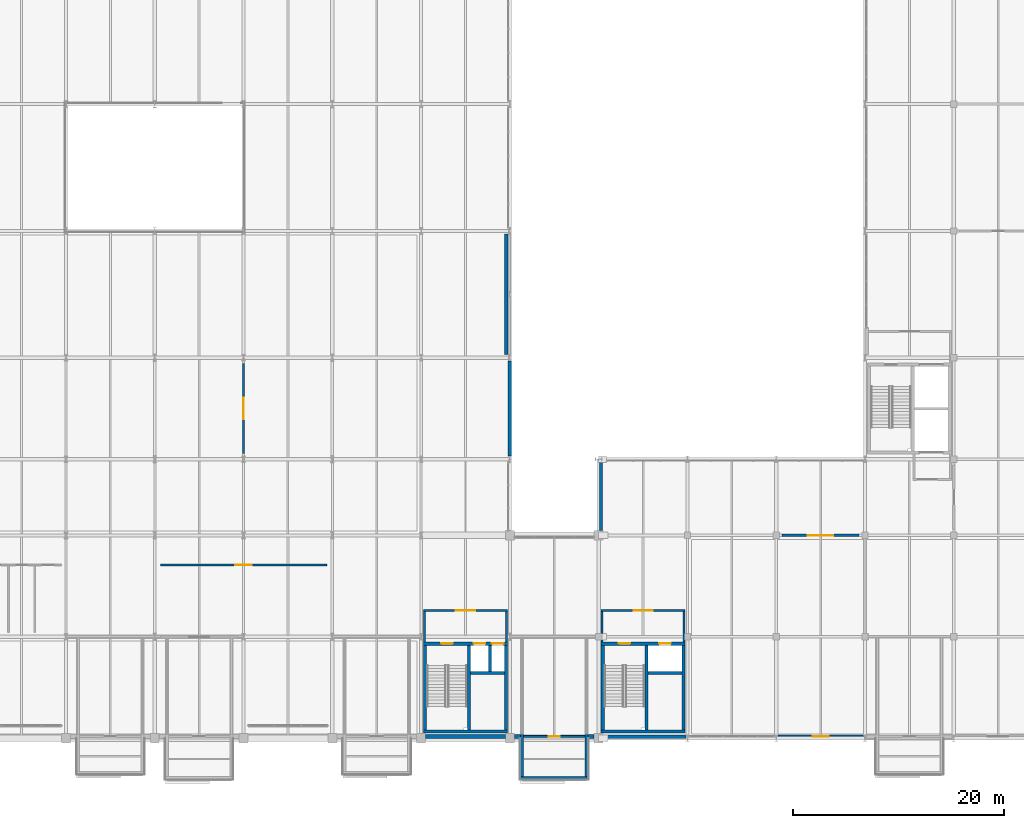
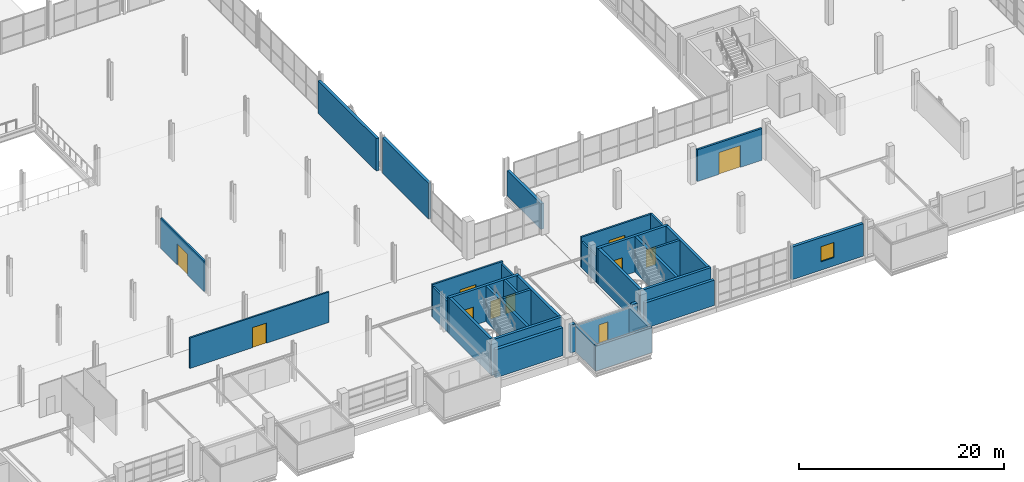
# One storey, part 120 of 130: 34 walls, 11 doors, 1 window, 12 openings.
"""IFC4 building model written with IfcOpenShell, lengths in metres."""

from ifc_helpers import new_model, si_unit, direction, frame, frame_2d, origin, place, context, subcontext, project, spatial, rectangle, extrude, material, layer, layer_set, type_object, element, fill, save


model = new_model("IFC4")

# Units and contexts
model_context = context("Model", 3, precision=1e-05, world=origin(), true_north=direction((0.0, 1.0)))
body_context = subcontext(model_context, "Body", "Model", "MODEL_VIEW")
ifc_project = project(units=[si_unit("LENGTHUNIT", "METRE"), si_unit("AREAUNIT", "SQUARE_METRE"), si_unit("VOLUMEUNIT", "CUBIC_METRE"), si_unit("PLANEANGLEUNIT", "RADIAN"), si_unit("MASSUNIT", "GRAM", prefix="KILO")], contexts=[model_context])

# Site, building, storey
site_placement = place(None, origin())
site = spatial("IfcSite", under=ifc_project, at=site_placement, CompositionType="ELEMENT")
building_placement = place(site_placement, origin())
building = spatial("IfcBuilding", under=site, at=building_placement, Name="Veltarok Museum of Natural Sciences", CompositionType="ELEMENT")
storey_placement = place(building_placement, frame((0.0, 0.0, 12.89990234375)))
storey = spatial("IfcBuildingStorey", under=building, at=storey_placement, Name="L02", CompositionType="ELEMENT", Elevation=12.89990234375)

# Wall, opening, door
ifc_material_1 = material(Name="Concrete C35/45", Category="concrete")
ifc_layer_1 = layer(ifc_material_1, 0.219970703125)
ifc_layer_set_1 = layer_set([ifc_layer_1], Name="Concrete C35/45")
wall_type_1 = type_object("IfcWallType", Name="Archive Compartment Partition 220", PredefinedType="PARTITIONING", material=ifc_layer_set_1)
wall_1_placement = place(storey_placement, frame((124.550048828125, 19.199951171875, 0.0), z_axis=(0.0, 0.0, 1.0), x_axis=(1.0, 0.0, 0.0)))
wall_1 = element("IfcWall", 1, at=wall_1_placement, inside=storey, type_object=wall_type_1, Name="Interior Partition L02-042", PredefinedType="PARTITIONING", context=body_context, shape_type="SweptSolid", body=[
    extrude(rectangle(XDim=7.300048828125, YDim=0.219970703125, at=frame_2d((3.64990234375, 0.0))), origin(), (0.0, 0.0, 1.0), 3.781982421875),
])
opening_1_placement = place(wall_1_placement, frame((2.449951171875, 0.0, 0.0)))
opening_1 = element("IfcOpeningElement", 2, at=opening_1_placement, cuts=wall_1, Name="Opening D-L02-168", PredefinedType="OPENING", context=body_context, shape_type="SweptSolid", body=[
    extrude(rectangle(XDim=2.39990234375, YDim=2.60009765625, at=frame_2d((1.199951171875, 1.300048828125))), frame((0.0, 0.1201171875, 0.0), z_axis=(0.0, -1.0, 0.0), x_axis=(1.0, 0.0, 0.0)), (0.0, 0.0, 1.0), 0.239990234375),
])
ifc_material_2 = material(Name="Heavy fire-rated steel", Category="steel")
door_type_1 = type_object("IfcDoorType", Name="Archive Crate Double Vault Door 2400x2600", OperationType="NOTDEFINED", PredefinedType="DOOR", material=ifc_material_2)
door_1_placement = place(opening_1_placement, origin())
door_1 = element("IfcDoor", 3, at=door_1_placement, inside=storey, type_object=door_type_1, Name="Interior Door D-L02-168", OperationType="DOUBLE_DOOR_SINGLE_SWING", OverallHeight=2.60009765625, OverallWidth=2.39990234375, PredefinedType="DOOR", context=body_context, shape_type="SweptSolid", body=[
    extrude(rectangle(XDim=2.39990234375, YDim=2.60009765625, at=frame_2d((1.199951171875, 1.300048828125))), frame((0.0, 0.02490234375, 0.0), z_axis=(0.0, -1.0, 0.0), x_axis=(1.0, 0.0, 0.0)), (0.0, 0.0, 1.0), 0.050048828125),
])
fill(opening_1, door_1)

# Walls
ifc_material_3 = material(Name="Precast concrete C40/50", Category="concrete")
ifc_layer_2 = layer(ifc_material_3, 0.300048828125)
ifc_layer_set_2 = layer_set([ifc_layer_2], Name="Precast concrete C40/50")
wall_type_2 = type_object("IfcWallType", Name="Deep Cabinet Box Insulated Wall 300", PredefinedType="SOLIDWALL", material=ifc_layer_set_2)
wall_2_placement = place(storey_placement, frame((99.800048828125, -3.75, 0.0), z_axis=(0.0, 0.0, 1.0), x_axis=(1.0, 0.0, 0.0)))
element("IfcWall", 4, at=wall_2_placement, inside=storey, type_object=wall_type_2, Name="Cabinet Box Wall DB-11-S", PredefinedType="SOLIDWALL", context=body_context, shape_type="SweptSolid", body=[
    extrude(rectangle(XDim=6.39990234375, YDim=0.300048828125, at=frame_2d((3.199951171875, 0.0))), origin(), (0.0, 0.0, 1.0), 2.989990234375),
])
for number, where, z_axis, x_axis, name in (
    (5, (99.949951171875, 0.360107421875, 0.0), (0.0, 0.0, 1.0), (0.0, -1.0, 0.0), "Cabinet Box Wall DB-11-W"),
    (6, (106.050048828125, -3.60009765625, 0.0), (0.0, 0.0, 1.0), (0.0, 1.0, 0.0), "Cabinet Box Wall DB-11-E"),
):
    element("IfcWall", number, at=place(storey_placement, frame(where, z_axis=z_axis, x_axis=x_axis)), inside=storey, type_object=wall_type_2, Name=name, PredefinedType="SOLIDWALL", context=body_context, shape_type="SweptSolid", body=[
        extrude(rectangle(XDim=3.960205078125, YDim=0.300048828125, at=frame_2d((1.97998046875, 0.0))), origin(), (0.0, 0.0, 1.0), 2.989990234375),
    ])

# Wall, opening, door
ifc_material_4 = material(Name="Acoustic gypsum and mineral wool")
ifc_layer_3 = layer(ifc_material_4, 0.179931640625)
ifc_layer_set_3 = layer_set([ifc_layer_3], Name="Acoustic gypsum and mineral wool")
wall_type_3 = type_object("IfcWallType", Name="Exhibition Gallery Partition 180", PredefinedType="PARTITIONING", material=ifc_layer_set_3)
wall_3_placement = place(storey_placement, frame((100.10009765625, 0.179931640625, 0.0), z_axis=(0.0, 0.0, 1.0), x_axis=(1.0, 0.0, 0.0)))
wall_3 = element("IfcWall", 7, at=wall_3_placement, inside=storey, type_object=wall_type_3, Name="Cabinet Threshold Partition DB-11", PredefinedType="PARTITIONING", context=body_context, shape_type="SweptSolid", body=[
    extrude(rectangle(XDim=5.7998046875, YDim=0.179931640625, at=frame_2d((2.89990234375, 0.0))), origin(), (0.0, 0.0, 1.0), 2.989990234375),
])
opening_2_placement = place(wall_3_placement, frame((2.3798828125, 0.0, 0.0)))
opening_2 = element("IfcOpeningElement", 8, at=opening_2_placement, cuts=wall_3, Name="Opening D-L02-082", PredefinedType="OPENING", context=body_context, shape_type="SweptSolid", body=[
    extrude(rectangle(XDim=1.0400390625, YDim=2.179931640625, at=frame_2d((0.52001953125, 1.08984375))), frame((0.0, 0.10009765625, 0.0), z_axis=(0.0, -1.0, 0.0), x_axis=(1.0, 0.0, 0.0)), (0.0, 0.0, 1.0), 0.199951171875),
])
ifc_material_5 = material(Name="Airtight powder-coated steel", Category="steel")
door_type_2 = type_object("IfcDoorType", Name="Compact Cabinet Conservation Door 1040x2180", OperationType="NOTDEFINED", PredefinedType="DOOR", material=ifc_material_5)
door_2_placement = place(opening_2_placement, origin())
door_2 = element("IfcDoor", 9, at=door_2_placement, inside=storey, type_object=door_type_2, Name="Cabinet Conservation Door DB-11", OperationType="SINGLE_SWING_RIGHT", OverallHeight=2.179931640625, OverallWidth=1.0400390625, PredefinedType="DOOR", context=body_context, shape_type="SweptSolid", body=[
    extrude(rectangle(XDim=1.0400390625, YDim=2.179931640625, at=frame_2d((0.52001953125, 1.08984375))), frame((0.0, 0.02490234375, 0.0), z_axis=(0.0, -1.0, 0.0), x_axis=(1.0, 0.0, 0.0)), (0.0, 0.0, 1.0), 0.050048828125),
])
fill(opening_2, door_2)

wall_4_placement = place(storey_placement, frame((65.75, 16.39990234375, 0.0), z_axis=(0.0, 0.0, 1.0), x_axis=(1.0, 0.0, 0.0)))
wall_4 = element("IfcWall", 10, at=wall_4_placement, inside=storey, type_object=wall_type_3, Name="Interior Partition L02-038", PredefinedType="PARTITIONING", context=body_context, shape_type="SweptSolid", body=[
    extrude(rectangle(XDim=15.699951171875, YDim=0.179931640625, at=frame_2d((7.85009765625, 0.0))), origin(), (0.0, 0.0, 1.0), 3.632080078125),
])
opening_3_placement = place(wall_4_placement, frame((7.050048828125, 0.0, 0.0)))
opening_3 = element("IfcOpeningElement", 11, at=opening_3_placement, cuts=wall_4, Name="Opening D-L02-164", PredefinedType="OPENING", context=body_context, shape_type="SweptSolid", body=[
    extrude(rectangle(XDim=1.60009765625, YDim=2.39990234375, at=frame_2d((0.800048828125, 1.199951171875))), frame((0.0, 0.10009765625, 0.0), z_axis=(0.0, -1.0, 0.0), x_axis=(1.0, 0.0, 0.0)), (0.0, 0.0, 1.0), 0.199951171875),
])
ifc_material_6 = material(Name="Solid European oak and safety glass", Category="glass")
door_type_3 = type_object("IfcDoorType", Name="Gallery Double Swing Door 1600x2400", OperationType="NOTDEFINED", PredefinedType="DOOR", material=ifc_material_6)
door_3_placement = place(opening_3_placement, origin())
door_3 = element("IfcDoor", 12, at=door_3_placement, inside=storey, type_object=door_type_3, Name="Interior Door D-L02-164", OperationType="DOUBLE_DOOR_SINGLE_SWING", OverallHeight=2.39990234375, OverallWidth=1.60009765625, PredefinedType="DOOR", context=body_context, shape_type="SweptSolid", body=[
    extrude(rectangle(XDim=1.60009765625, YDim=2.39990234375, at=frame_2d((0.800048828125, 1.199951171875))), frame((0.0, 0.02490234375, 0.0), z_axis=(0.0, -1.0, 0.0), x_axis=(1.0, 0.0, 0.0)), (0.0, 0.0, 1.0), 0.050048828125),
])
fill(opening_3, door_3)

wall_5_placement = place(storey_placement, frame((73.60009765625, 26.949951171875, 0.0), z_axis=(0.0, 0.0, 1.0), x_axis=(0.0, 1.0, 0.0)))
wall_5 = element("IfcWall", 13, at=wall_5_placement, inside=storey, type_object=wall_type_3, Name="Interior Partition L02-041", PredefinedType="PARTITIONING", context=body_context, shape_type="SweptSolid", body=[
    extrude(rectangle(XDim=8.5, YDim=0.179931640625, at=frame_2d((4.25, 0.0))), origin(), (0.0, 0.0, 1.0), 3.632080078125),
])
opening_4_placement = place(wall_5_placement, frame((3.25, 0.0, 0.0)))
opening_4 = element("IfcOpeningElement", 14, at=opening_4_placement, cuts=wall_5, Name="Opening D-L02-167", PredefinedType="OPENING", context=body_context, shape_type="SweptSolid", body=[
    extrude(rectangle(XDim=2.0, YDim=2.5, at=frame_2d((1.0, 1.25))), frame((0.0, 0.10009765625, 0.0), z_axis=(0.0, -1.0, 0.0), x_axis=(1.0, 0.0, 0.0)), (0.0, 0.0, 1.0), 0.199951171875),
])
ifc_material_7 = material(Name="Solid European oak and acoustic glass", Category="glass")
door_type_4 = type_object("IfcDoorType", Name="Exhibition Hall Double Portal Door 2000x2500", OperationType="NOTDEFINED", PredefinedType="DOOR", material=ifc_material_7)
door_4_placement = place(opening_4_placement, origin())
door_4 = element("IfcDoor", 15, at=door_4_placement, inside=storey, type_object=door_type_4, Name="Interior Door D-L02-167", OperationType="DOUBLE_DOOR_SINGLE_SWING", OverallHeight=2.5, OverallWidth=2.0, PredefinedType="DOOR", context=body_context, shape_type="SweptSolid", body=[
    extrude(rectangle(XDim=2.0, YDim=2.5, at=frame_2d((1.0, 1.25))), frame((0.0, 0.02490234375, 0.0), z_axis=(0.0, -1.0, 0.0), x_axis=(1.0, 0.0, 0.0)), (0.0, 0.0, 1.0), 0.050048828125),
])
fill(opening_4, door_4)

# Walls
ifc_material_8 = material(Name="Concrete C40/50", Category="concrete")
ifc_layer_4 = layer(ifc_material_8, 0.360107421875)
ifc_layer_set_4 = layer_set([ifc_layer_4], Name="Concrete C40/50")
wall_type_4 = type_object("IfcWallType", Name="Exposed Architectural Concrete Facade Wall 360", PredefinedType="SOLIDWALL", material=ifc_layer_set_4)
wall_6_placement = place(storey_placement, frame((90.824951171875, 0.179931640625, 0.0), z_axis=(0.0, 0.0, 1.0), x_axis=(1.0, 0.0, 0.0)))
element("IfcWall", 16, at=wall_6_placement, inside=storey, type_object=wall_type_4, Name="South Core Facade Wall L02 11-12", PredefinedType="SOLIDWALL", context=body_context, shape_type="SweptSolid", body=[
    extrude(rectangle(XDim=7.550048828125, YDim=0.360107421875, at=frame_2d((3.77490234375, 0.0))), origin(), (0.0, 0.0, 1.0), 3.335205078125),
])
for number, where, z_axis, x_axis, name in (
    (17, (99.22509765625, 0.179931640625, 0.0), (0.0, 0.0, 1.0), (1.0, 0.0, 0.0), "Cabinet Collar Wall L02 12-13L"),
    (18, (106.199951171875, 0.179931640625, 0.0), (0.0, 0.0, 1.0), (1.0, 0.0, 0.0), "Cabinet Collar Wall L02 12-13R"),
):
    element("IfcWall", number, at=place(storey_placement, frame(where, z_axis=z_axis, x_axis=x_axis)), inside=storey, type_object=wall_type_4, Name=name, PredefinedType="SOLIDWALL", context=body_context, shape_type="SweptSolid", body=[
        extrude(rectangle(XDim=0.574951171875, YDim=0.360107421875, at=frame_2d((0.28759765625, 0.0))), origin(), (0.0, 0.0, 1.0), 3.335205078125),
    ])

# Wall, opening, door
ifc_layer_5 = layer(ifc_material_1, 0.199951171875)
ifc_layer_set_5 = layer_set([ifc_layer_5], Name="Concrete C35/45")
wall_type_5 = type_object("IfcWallType", Name="Firefighting Lobby Compartment Wall 200", PredefinedType="SOLIDWALL", material=ifc_layer_set_5)
wall_7_placement = place(storey_placement, frame((90.6298828125, 12.10009765625, 0.0), z_axis=(0.0, 0.0, 1.0), x_axis=(1.0, 0.0, 0.0)))
wall_7 = element("IfcWall", 19, at=wall_7_placement, inside=storey, type_object=wall_type_5, Name="Firefighting Lobby Wall C2 L02 N", PredefinedType="SOLIDWALL", context=body_context, shape_type="SweptSolid", body=[
    extrude(rectangle(XDim=7.940185546875, YDim=0.199951171875, at=frame_2d((3.97021484375, 0.0))), origin(), (0.0, 0.0, 1.0), 3.902099609375),
])
opening_5_placement = place(wall_7_placement, frame((3.070068359375, 0.0, 0.0)))
opening_5 = element("IfcOpeningElement", 20, at=opening_5_placement, cuts=wall_7, Name="Opening D-L02-038", PredefinedType="OPENING", context=body_context, shape_type="SweptSolid", body=[
    extrude(rectangle(XDim=1.800048828125, YDim=2.199951171875, at=frame_2d((0.89990234375, 1.10009765625))), frame((0.0, 0.10986328125, 0.0), z_axis=(0.0, -1.0, 0.0), x_axis=(1.0, 0.0, 0.0)), (0.0, 0.0, 1.0), 0.219970703125),
])
ifc_material_9 = material(Name="Fire-rated steel and vision glass", Category="steel")
door_type_5 = type_object("IfcDoorType", Name="Fire Lobby Double Door 1800x2200", OperationType="NOTDEFINED", PredefinedType="DOOR", material=ifc_material_9)
door_5_placement = place(opening_5_placement, origin())
door_5 = element("IfcDoor", 21, at=door_5_placement, inside=storey, type_object=door_type_5, Name="Firefighting Lobby Entrance Door C2 L02", OperationType="DOUBLE_DOOR_SINGLE_SWING", OverallHeight=2.199951171875, OverallWidth=1.800048828125, PredefinedType="DOOR", context=body_context, shape_type="SweptSolid", body=[
    extrude(rectangle(XDim=1.800048828125, YDim=2.199951171875, at=frame_2d((0.89990234375, 1.10009765625))), frame((0.0, 0.02490234375, 0.0), z_axis=(0.0, -1.0, 0.0), x_axis=(1.0, 0.0, 0.0)), (0.0, 0.0, 1.0), 0.050048828125),
])
fill(opening_5, door_5)

# Walls
for number, where, z_axis, x_axis, name in (
    (22, (90.72998046875, 9.10009765625, 0.0), (0.0, 0.0, 1.0), (0.0, 1.0, 0.0), "Firefighting Lobby Wall C2 L02 W"),
    (23, (98.469970703125, 12.0, 0.0), (0.0, 0.0, 1.0), (0.0, -1.0, 0.0), "Firefighting Lobby Wall C2 L02 E"),
):
    element("IfcWall", number, at=place(storey_placement, frame(where, z_axis=z_axis, x_axis=x_axis)), inside=storey, type_object=wall_type_5, Name=name, PredefinedType="SOLIDWALL", context=body_context, shape_type="SweptSolid", body=[
        extrude(rectangle(XDim=2.89990234375, YDim=0.199951171875, at=frame_2d((1.449951171875, 0.0))), origin(), (0.0, 0.0, 1.0), 3.64208984375),
    ])

# Wall, opening, door
wall_8_placement = place(storey_placement, frame((107.429931640625, 12.10009765625, 0.0), z_axis=(0.0, 0.0, 1.0), x_axis=(1.0, 0.0, 0.0)))
wall_8 = element("IfcWall", 24, at=wall_8_placement, inside=storey, type_object=wall_type_5, Name="Firefighting Lobby Wall C4 L02 N", PredefinedType="SOLIDWALL", context=body_context, shape_type="SweptSolid", body=[
    extrude(rectangle(XDim=7.940185546875, YDim=0.199951171875, at=frame_2d((3.97021484375, 0.0))), origin(), (0.0, 0.0, 1.0), 3.68212890625),
])
opening_6_placement = place(wall_8_placement, frame((3.070068359375, 0.0, 0.0)))
opening_6 = element("IfcOpeningElement", 25, at=opening_6_placement, cuts=wall_8, Name="Opening D-L02-042", PredefinedType="OPENING", context=body_context, shape_type="SweptSolid", body=[
    extrude(rectangle(XDim=1.800048828125, YDim=2.199951171875, at=frame_2d((0.89990234375, 1.10009765625))), frame((0.0, 0.10986328125, 0.0), z_axis=(0.0, -1.0, 0.0), x_axis=(1.0, 0.0, 0.0)), (0.0, 0.0, 1.0), 0.219970703125),
])
door_6_placement = place(opening_6_placement, origin())
door_6 = element("IfcDoor", 26, at=door_6_placement, inside=storey, type_object=door_type_5, Name="Firefighting Lobby Entrance Door C4 L02", OperationType="DOUBLE_DOOR_SINGLE_SWING", OverallHeight=2.199951171875, OverallWidth=1.800048828125, PredefinedType="DOOR", context=body_context, shape_type="SweptSolid", body=[
    extrude(rectangle(XDim=1.800048828125, YDim=2.199951171875, at=frame_2d((0.89990234375, 1.10009765625))), frame((0.0, 0.02490234375, 0.0), z_axis=(0.0, -1.0, 0.0), x_axis=(1.0, 0.0, 0.0)), (0.0, 0.0, 1.0), 0.050048828125),
])
fill(opening_6, door_6)

# Walls
wall_9_placement = place(storey_placement, frame((107.530029296875, 9.10009765625, 0.0), z_axis=(0.0, 0.0, 1.0), x_axis=(0.0, 1.0, 0.0)))
element("IfcWall", 27, at=wall_9_placement, inside=storey, type_object=wall_type_5, Name="Firefighting Lobby Wall C4 L02 W", PredefinedType="SOLIDWALL", context=body_context, shape_type="SweptSolid", body=[
    extrude(rectangle(XDim=2.89990234375, YDim=0.199951171875, at=frame_2d((1.449951171875, 0.0))), origin(), (0.0, 0.0, 1.0), 3.132080078125),
])
wall_10_placement = place(storey_placement, frame((115.27001953125, 12.0, 0.0), z_axis=(0.0, 0.0, 1.0), x_axis=(0.0, -1.0, 0.0)))
element("IfcWall", 28, at=wall_10_placement, inside=storey, type_object=wall_type_5, Name="Firefighting Lobby Wall C4 L02 E", PredefinedType="SOLIDWALL", context=body_context, shape_type="SweptSolid", body=[
    extrude(rectangle(XDim=2.89990234375, YDim=0.199951171875, at=frame_2d((1.449951171875, 0.0))), origin(), (0.0, 0.0, 1.0), 3.781982421875),
])
ifc_layer_6 = layer(ifc_material_3, 0.320068359375)
ifc_layer_set_6 = layer_set([ifc_layer_6], Name="Precast concrete C40/50")
wall_type_6 = type_object("IfcWallType", Name="Insulated Precast Facade Wall 320", PredefinedType="SOLIDWALL", material=ifc_layer_set_6)
wall_11_placement = place(storey_placement, frame((107.625, 0.159912109375, 0.0), z_axis=(0.0, 0.0, 1.0), x_axis=(1.0, 0.0, 0.0)))
element("IfcWall", 29, at=wall_11_placement, inside=storey, type_object=wall_type_6, Name="Core C4 South Facade Wall L02", PredefinedType="SOLIDWALL", context=body_context, shape_type="SweptSolid", body=[
    extrude(rectangle(XDim=7.824951171875, YDim=0.320068359375, at=frame_2d((3.91259765625, 0.0))), origin(), (0.0, 0.0, 1.0), 3.02001953125),
])

# Wall, opening, window
wall_12_placement = place(storey_placement, frame((124.14990234375, 0.159912109375, 0.0), z_axis=(0.0, 0.0, 1.0), x_axis=(1.0, 0.0, 0.0)))
wall_12 = element("IfcWall", 30, at=wall_12_placement, inside=storey, type_object=wall_type_6, Name="V5 South Lab Facade Wall L02 15-16", PredefinedType="SOLIDWALL", context=body_context, shape_type="SweptSolid", body=[
    extrude(rectangle(XDim=8.10009765625, YDim=0.320068359375, at=frame_2d((4.050048828125, 0.0))), origin(), (0.0, 0.0, 1.0), 3.880126953125),
])
opening_7_placement = place(wall_12_placement, frame((3.300048828125, 0.0, 1.0)))
opening_7 = element("IfcOpeningElement", 31, at=opening_7_placement, cuts=wall_12, Name="Opening W-L02-019", PredefinedType="OPENING", context=body_context, shape_type="SweptSolid", body=[
    extrude(rectangle(XDim=1.5, YDim=1.800048828125, at=frame_2d((0.75, 0.89990234375))), frame((0.0, 0.169921875, 0.0), z_axis=(0.0, -1.0, 0.0), x_axis=(1.0, 0.0, 0.0)), (0.0, 0.0, 1.0), 0.340087890625),
])
ifc_material_10 = material(Name="Low-iron triple insulated glass", Category="glass")
window_type = type_object("IfcWindowType", Name="Curatorial Office Window 1500x1800", PartitioningType="SINGLE_PANEL", PredefinedType="WINDOW", material=ifc_material_10)
window_placement = place(opening_7_placement, origin())
window = element("IfcWindow", 32, at=window_placement, inside=storey, type_object=window_type, Name="Lab Window L02 15-16", OverallHeight=1.800048828125, OverallWidth=1.5, PartitioningType="SINGLE_PANEL", PredefinedType="WINDOW", context=body_context, shape_type="SweptSolid", body=[
    extrude(rectangle(XDim=1.5, YDim=1.800048828125, at=frame_2d((0.75, 0.89990234375))), frame((0.0, 0.030029296875, 0.0), z_axis=(0.0, -1.0, 0.0), x_axis=(1.0, 0.0, 0.0)), (0.0, 0.0, 1.0), 0.06005859375),
])
fill(opening_7, window)

# Walls
wall_13_placement = place(storey_placement, frame((107.419921875, 26.25, 0.0), z_axis=(0.0, 0.0, 1.0), x_axis=(0.0, -1.0, 0.0)))
element("IfcWall", 33, at=wall_13_placement, inside=storey, type_object=wall_type_6, Name="V5 Courtyard West End Wall L02 13/C-D", PredefinedType="SOLIDWALL", context=body_context, shape_type="SweptSolid", body=[
    extrude(rectangle(XDim=6.60009765625, YDim=0.320068359375, at=frame_2d((3.300048828125, 0.0))), origin(), (0.0, 0.0, 1.0), 3.031982421875),
])
wall_14_placement = place(storey_placement, frame((98.4599609375, 36.300048828125, 0.0), z_axis=(0.0, 0.0, 1.0), x_axis=(0.0, 1.0, 0.0)))
element("IfcWall", 34, at=wall_14_placement, inside=storey, type_object=wall_type_6, Name="Central Hall Braced Bay Backup Wall L02 12/E-F", PredefinedType="SOLIDWALL", context=body_context, shape_type="SweptSolid", body=[
    extrude(rectangle(XDim=11.39990234375, YDim=0.320068359375, at=frame_2d((5.699951171875, 0.0))), origin(), (0.0, 0.0, 1.0), 3.880126953125),
])
ifc_layer_7 = layer(ifc_material_8, 0.320068359375)
ifc_layer_set_7 = layer_set([ifc_layer_7], Name="Concrete C40/50")
wall_type_7 = type_object("IfcWallType", Name="Interior Lateral Concrete Shear Wall 320", PredefinedType="SHEAR", material=ifc_layer_set_7)
wall_15_placement = place(storey_placement, frame((98.800048828125, 26.699951171875, 0.0), z_axis=(0.0, 0.0, 1.0), x_axis=(0.0, 1.0, 0.0)))
element("IfcWall", 35, at=wall_15_placement, inside=storey, type_object=wall_type_7, Name="Interior Shear Wall SW1 L02", PredefinedType="SHEAR", context=body_context, shape_type="SweptSolid", body=[
    extrude(rectangle(XDim=9.0, YDim=0.320068359375, at=frame_2d((4.5, 0.0))), origin(), (0.0, 0.0, 1.0), 4.25),
])
ifc_layer_8 = layer(ifc_material_8, 0.25)
ifc_layer_set_8 = layer_set([ifc_layer_8], Name="Concrete C40/50")
wall_type_8 = type_object("IfcWallType", Name="Lift Shaft Concrete Shear Wall 250", PredefinedType="SHEAR", material=ifc_layer_set_8)
wall_16_placement = place(storey_placement, frame((96.9150390625, 6.300048828125, 0.0), z_axis=(0.0, 0.0, 1.0), x_axis=(0.0, 1.0, 0.0)))
element("IfcWall", 36, at=wall_16_placement, inside=storey, type_object=wall_type_8, Name="Lift Shaft Divider Wall C2 L02", PredefinedType="SHEAR", context=body_context, shape_type="SweptSolid", body=[
    extrude(rectangle(XDim=2.5, YDim=0.25, at=frame_2d((1.25, 0.0))), origin(), (0.0, 0.0, 1.0), 4.25),
])
for number, where, z_axis, x_axis, name in (
    (37, (95.070068359375, 6.175048828125, 0.0), (0.0, 0.0, 1.0), (1.0, 0.0, 0.0), "Lift Shaft Back Wall C2 L02"),
    (38, (111.8701171875, 6.175048828125, 0.0), (0.0, 0.0, 1.0), (1.0, 0.0, 0.0), "Lift Shaft Back Wall C4 L02"),
):
    element("IfcWall", number, at=place(storey_placement, frame(where, z_axis=z_axis, x_axis=x_axis)), inside=storey, type_object=wall_type_8, Name=name, PredefinedType="SHEAR", context=body_context, shape_type="SweptSolid", body=[
        extrude(rectangle(XDim=3.199951171875, YDim=0.25, at=frame_2d((1.60009765625, 0.0))), origin(), (0.0, 0.0, 1.0), 4.25),
    ])
ifc_layer_9 = layer(ifc_material_8, 0.300048828125)
ifc_layer_set_9 = layer_set([ifc_layer_9], Name="Concrete C40/50")
wall_type_9 = type_object("IfcWallType", Name="Protected Core Shear Wall 300", PredefinedType="SHEAR", material=ifc_layer_set_9)
wall_17_placement = place(storey_placement, frame((90.6298828125, 0.64990234375, 0.0), z_axis=(0.0, 0.0, 1.0), x_axis=(1.0, 0.0, 0.0)))
element("IfcWall", 39, at=wall_17_placement, inside=storey, type_object=wall_type_9, Name="Core Shear Wall C2 L02 S", PredefinedType="SHEAR", context=body_context, shape_type="SweptSolid", body=[
    extrude(rectangle(XDim=7.940185546875, YDim=0.300048828125, at=frame_2d((3.97021484375, 0.0))), origin(), (0.0, 0.0, 1.0), 4.25),
])

# Wall, openings, doors
wall_18_placement = place(storey_placement, frame((98.570068359375, 8.949951171875, 0.0), z_axis=(0.0, 0.0, 1.0), x_axis=(-1.0, 0.0, 0.0)))
wall_18 = element("IfcWall", 40, at=wall_18_placement, inside=storey, type_object=wall_type_9, Name="Core Shear Wall C2 L02 N", PredefinedType="SHEAR", context=body_context, shape_type="SweptSolid", body=[
    extrude(rectangle(XDim=7.940185546875, YDim=0.300048828125, at=frame_2d((3.97021484375, 0.0))), origin(), (0.0, 0.0, 1.0), 4.25),
])
opening_8_placement = place(wall_18_placement, frame((5.169921875, 0.0, 0.0)))
opening_8 = element("IfcOpeningElement", 41, at=opening_8_placement, cuts=wall_18, Name="Opening D-L02-037", PredefinedType="OPENING", context=body_context, shape_type="SweptSolid", body=[
    extrude(rectangle(XDim=1.10009765625, YDim=2.199951171875, at=frame_2d((0.550048828125, 1.10009765625))), frame((0.0, 0.16015625, 0.0), z_axis=(0.0, -1.0, 0.0), x_axis=(1.0, 0.0, 0.0)), (0.0, 0.0, 1.0), 0.320068359375),
])
opening_9_placement = place(wall_18_placement, frame((2.090087890625, 0.0, 0.0)))
opening_9 = element("IfcOpeningElement", 42, at=opening_9_placement, cuts=wall_18, Name="Opening LD-L02-LP-02", PredefinedType="OPENING", context=body_context, shape_type="SweptSolid", body=[
    extrude(rectangle(XDim=1.10009765625, YDim=2.10009765625, at=frame_2d((0.550048828125, 1.050048828125))), frame((0.0, 0.16015625, 0.0), z_axis=(0.0, -1.0, 0.0), x_axis=(1.0, 0.0, 0.0)), (0.0, 0.0, 1.0), 0.320068359375),
])
opening_10_placement = place(wall_18_placement, frame((0.364990234375, 0.0, 0.0)))
opening_10 = element("IfcOpeningElement", 43, at=opening_10_placement, cuts=wall_18, Name="Opening LD-L02-FL-02", PredefinedType="OPENING", context=body_context, shape_type="SweptSolid", body=[
    extrude(rectangle(XDim=1.10009765625, YDim=2.10009765625, at=frame_2d((0.550048828125, 1.050048828125))), frame((0.0, 0.16015625, 0.0), z_axis=(0.0, -1.0, 0.0), x_axis=(1.0, 0.0, 0.0)), (0.0, 0.0, 1.0), 0.320068359375),
])
ifc_material_11 = material(Name="Fire-rated painted steel", Category="steel")
door_type_6 = type_object("IfcDoorType", Name="Fire Core Single Escape Door 1100x2200", OperationType="NOTDEFINED", PredefinedType="DOOR", material=ifc_material_11)
door_7_placement = place(opening_8_placement, origin())
door_7 = element("IfcDoor", 44, at=door_7_placement, inside=storey, type_object=door_type_6, Name="Protected Stair Door ST-02 L02", OperationType="SINGLE_SWING_RIGHT", OverallHeight=2.199951171875, OverallWidth=1.10009765625, PredefinedType="DOOR", context=body_context, shape_type="SweptSolid", body=[
    extrude(rectangle(XDim=1.10009765625, YDim=2.199951171875, at=frame_2d((0.550048828125, 1.10009765625))), frame((0.0, 0.02490234375, 0.0), z_axis=(0.0, -1.0, 0.0), x_axis=(1.0, 0.0, 0.0)), (0.0, 0.0, 1.0), 0.050048828125),
])
fill(opening_8, door_7)
ifc_material_12 = material(Name="Brushed stainless steel", Category="steel")
door_type_7 = type_object("IfcDoorType", Name="Passenger and Firefighting Lift Landing Door 1100x2100", OperationType="SLIDING_TO_LEFT", PredefinedType="DOOR", material=ifc_material_12)
door_8_placement = place(opening_9_placement, origin())
door_8 = element("IfcDoor", 45, at=door_8_placement, inside=storey, type_object=door_type_7, Name="Sliding Lift Landing Door LD-L02-LP-02", OperationType="SLIDING_TO_LEFT", OverallHeight=2.10009765625, OverallWidth=1.10009765625, PredefinedType="DOOR", context=body_context, shape_type="SweptSolid", body=[
    extrude(rectangle(XDim=1.10009765625, YDim=2.10009765625, at=frame_2d((0.550048828125, 1.050048828125))), frame((0.0, 0.02490234375, 0.0), z_axis=(0.0, -1.0, 0.0), x_axis=(1.0, 0.0, 0.0)), (0.0, 0.0, 1.0), 0.050048828125),
])
fill(opening_9, door_8)
door_9_placement = place(opening_10_placement, origin())
door_9 = element("IfcDoor", 46, at=door_9_placement, inside=storey, type_object=door_type_7, Name="Sliding Lift Landing Door LD-L02-FL-02", OperationType="SLIDING_TO_LEFT", OverallHeight=2.10009765625, OverallWidth=1.10009765625, PredefinedType="DOOR", context=body_context, shape_type="SweptSolid", body=[
    extrude(rectangle(XDim=1.10009765625, YDim=2.10009765625, at=frame_2d((0.550048828125, 1.050048828125))), frame((0.0, 0.02490234375, 0.0), z_axis=(0.0, -1.0, 0.0), x_axis=(1.0, 0.0, 0.0)), (0.0, 0.0, 1.0), 0.050048828125),
])
fill(opening_10, door_9)

# Walls
for number, where, z_axis, x_axis, name in (
    (47, (90.780029296875, 8.800048828125, 0.0), (0.0, 0.0, 1.0), (0.0, -1.0, 0.0), "Core Shear Wall C2 L02 W"),
    (48, (98.419921875, 0.800048828125, 0.0), (0.0, 0.0, 1.0), (0.0, 1.0, 0.0), "Core Shear Wall C2 L02 E"),
    (49, (94.919921875, 0.800048828125, 0.0), (0.0, 0.0, 1.0), (0.0, 1.0, 0.0), "Core Shear Wall C2 L02 DIV"),
):
    element("IfcWall", number, at=place(storey_placement, frame(where, z_axis=z_axis, x_axis=x_axis)), inside=storey, type_object=wall_type_9, Name=name, PredefinedType="SHEAR", context=body_context, shape_type="SweptSolid", body=[
        extrude(rectangle(XDim=8.0, YDim=0.300048828125, at=frame_2d((4.0, 0.0))), origin(), (0.0, 0.0, 1.0), 4.25),
    ])
wall_19_placement = place(storey_placement, frame((107.429931640625, 0.64990234375, 0.0), z_axis=(0.0, 0.0, 1.0), x_axis=(1.0, 0.0, 0.0)))
element("IfcWall", 50, at=wall_19_placement, inside=storey, type_object=wall_type_9, Name="Core Shear Wall C4 L02 S", PredefinedType="SHEAR", context=body_context, shape_type="SweptSolid", body=[
    extrude(rectangle(XDim=7.940185546875, YDim=0.300048828125, at=frame_2d((3.97021484375, 0.0))), origin(), (0.0, 0.0, 1.0), 4.25),
])

# Wall, openings, doors
wall_20_placement = place(storey_placement, frame((115.3701171875, 8.949951171875, 0.0), z_axis=(0.0, 0.0, 1.0), x_axis=(-1.0, 0.0, 0.0)))
wall_20 = element("IfcWall", 51, at=wall_20_placement, inside=storey, type_object=wall_type_9, Name="Core Shear Wall C4 L02 N", PredefinedType="SHEAR", context=body_context, shape_type="SweptSolid", body=[
    extrude(rectangle(XDim=7.940185546875, YDim=0.300048828125, at=frame_2d((3.97021484375, 0.0))), origin(), (0.0, 0.0, 1.0), 4.25),
])
opening_11_placement = place(wall_20_placement, frame((5.169921875, 0.0, 0.0)))
opening_11 = element("IfcOpeningElement", 52, at=opening_11_placement, cuts=wall_20, Name="Opening D-L02-041", PredefinedType="OPENING", context=body_context, shape_type="SweptSolid", body=[
    extrude(rectangle(XDim=1.10009765625, YDim=2.199951171875, at=frame_2d((0.550048828125, 1.10009765625))), frame((0.0, 0.16015625, 0.0), z_axis=(0.0, -1.0, 0.0), x_axis=(1.0, 0.0, 0.0)), (0.0, 0.0, 1.0), 0.320068359375),
])
opening_12_placement = place(wall_20_placement, frame((1.35009765625, 0.0, 0.0)))
opening_12 = element("IfcOpeningElement", 53, at=opening_12_placement, cuts=wall_20, Name="Opening LD-L02-LP-04", PredefinedType="OPENING", context=body_context, shape_type="SweptSolid", body=[
    extrude(rectangle(XDim=1.10009765625, YDim=2.10009765625, at=frame_2d((0.550048828125, 1.050048828125))), frame((0.0, 0.16015625, 0.0), z_axis=(0.0, -1.0, 0.0), x_axis=(1.0, 0.0, 0.0)), (0.0, 0.0, 1.0), 0.320068359375),
])
door_10_placement = place(opening_11_placement, origin())
door_10 = element("IfcDoor", 54, at=door_10_placement, inside=storey, type_object=door_type_6, Name="Protected Stair Door ST-04 L02", OperationType="SINGLE_SWING_RIGHT", OverallHeight=2.199951171875, OverallWidth=1.10009765625, PredefinedType="DOOR", context=body_context, shape_type="SweptSolid", body=[
    extrude(rectangle(XDim=1.10009765625, YDim=2.199951171875, at=frame_2d((0.550048828125, 1.10009765625))), frame((0.0, 0.02490234375, 0.0), z_axis=(0.0, -1.0, 0.0), x_axis=(1.0, 0.0, 0.0)), (0.0, 0.0, 1.0), 0.050048828125),
])
fill(opening_11, door_10)
door_11_placement = place(opening_12_placement, origin())
door_11 = element("IfcDoor", 55, at=door_11_placement, inside=storey, type_object=door_type_7, Name="Sliding Lift Landing Door LD-L02-LP-04", OperationType="SLIDING_TO_LEFT", OverallHeight=2.10009765625, OverallWidth=1.10009765625, PredefinedType="DOOR", context=body_context, shape_type="SweptSolid", body=[
    extrude(rectangle(XDim=1.10009765625, YDim=2.10009765625, at=frame_2d((0.550048828125, 1.050048828125))), frame((0.0, 0.02490234375, 0.0), z_axis=(0.0, -1.0, 0.0), x_axis=(1.0, 0.0, 0.0)), (0.0, 0.0, 1.0), 0.050048828125),
])
fill(opening_12, door_11)

# Walls
for number, where, z_axis, x_axis, name in (
    (56, (107.580078125, 8.800048828125, 0.0), (0.0, 0.0, 1.0), (0.0, -1.0, 0.0), "Core Shear Wall C4 L02 W"),
    (57, (115.219970703125, 0.800048828125, 0.0), (0.0, 0.0, 1.0), (0.0, 1.0, 0.0), "Core Shear Wall C4 L02 E"),
    (58, (111.719970703125, 0.800048828125, 0.0), (0.0, 0.0, 1.0), (0.0, 1.0, 0.0), "Core Shear Wall C4 L02 DIV"),
):
    element("IfcWall", number, at=place(storey_placement, frame(where, z_axis=z_axis, x_axis=x_axis)), inside=storey, type_object=wall_type_9, Name=name, PredefinedType="SHEAR", context=body_context, shape_type="SweptSolid", body=[
        extrude(rectangle(XDim=8.0, YDim=0.300048828125, at=frame_2d((4.0, 0.0))), origin(), (0.0, 0.0, 1.0), 4.25),
    ])

save(model, "model.ifc")
